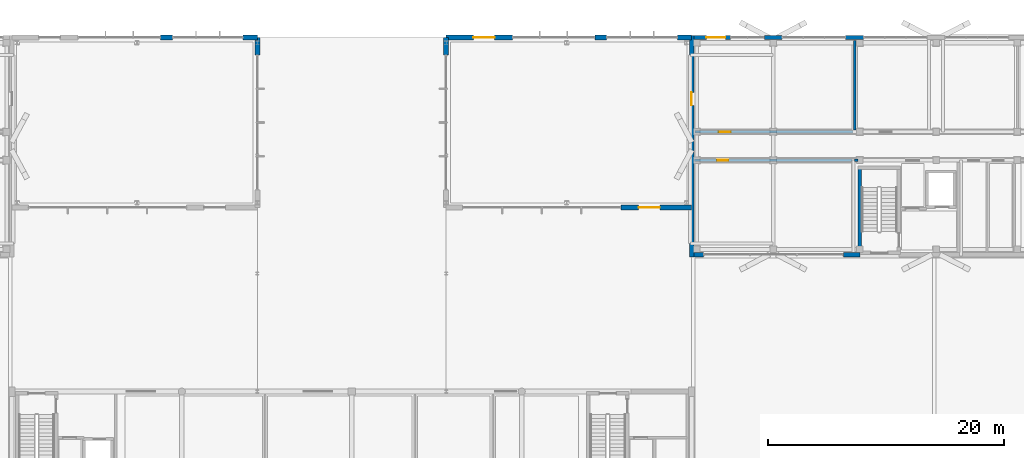
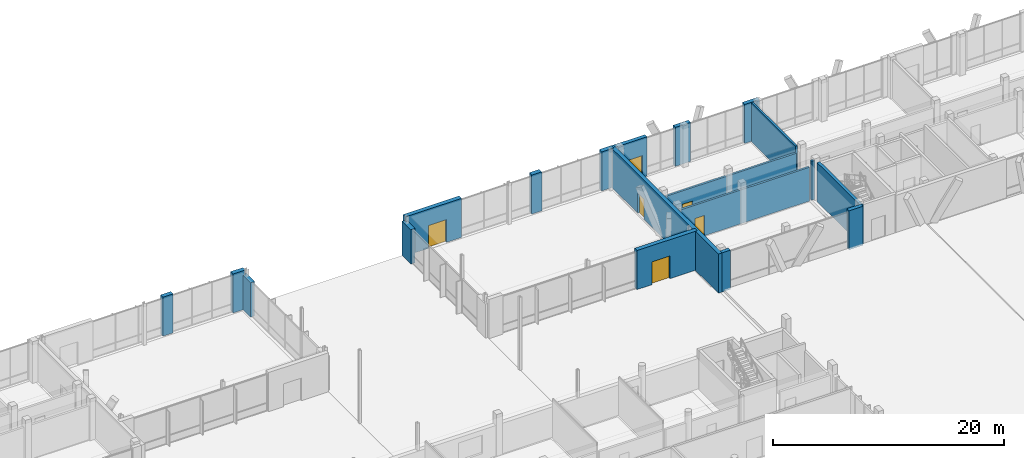
# One storey, part 200 of 233: 19 walls, 6 doors, 6 openings.
"""IFC4 building model written with IfcOpenShell, lengths in metres."""

from ifc_helpers import new_model, si_unit, direction, frame, frame_2d, origin, origin_with_axes, place, context, subcontext, project, spatial, rectangle, extrude, material, layer, layer_set, type_object, element, fill, save


model = new_model("IFC4")

# Units and contexts
model_context = context("Model", 3, precision=1e-05, world=origin(), true_north=direction((0.0, 1.0)))
body_context = subcontext(model_context, "Body", "Model", "MODEL_VIEW")
ifc_project = project(units=[si_unit("LENGTHUNIT", "METRE"), si_unit("AREAUNIT", "SQUARE_METRE"), si_unit("VOLUMEUNIT", "CUBIC_METRE"), si_unit("PLANEANGLEUNIT", "RADIAN"), si_unit("MASSUNIT", "GRAM", prefix="KILO")], contexts=[model_context])

# Site, building, storey
site_placement = place(None, origin())
site = spatial("IfcSite", under=ifc_project, at=site_placement, CompositionType="ELEMENT")
building_placement = place(site_placement, origin())
building = spatial("IfcBuilding", under=site, at=building_placement, Name="Zavelmont Quarter", CompositionType="ELEMENT")
storey_placement = place(building_placement, origin())
storey = spatial("IfcBuildingStorey", under=building, at=storey_placement, Name="L00", CompositionType="ELEMENT", Elevation=0.0)

# Walls
ifc_material_1 = material(Name="Natural Belgian limestone", Category="masonry")
ifc_layer_1 = layer(ifc_material_1, 0.3798828125)
ifc_layer_set_1 = layer_set([ifc_layer_1], Name="Natural Belgian limestone")
wall_type_1 = type_object("IfcWallType", Name="EW01", PredefinedType="STANDARD", material=ifc_layer_set_1)
wall_1_placement = place(storey_placement, frame((112.97998046875, 97.60009765625, 0.0), z_axis=(0.0, 0.0, 1.0), x_axis=(1.0, 0.0, 0.0)))
element("IfcWall", 1, at=wall_1_placement, inside=storey, type_object=wall_type_1, Name="L00 exterior limestone wall EW01", PredefinedType="STANDARD", context=body_context, shape_type="SweptSolid", body=[
    extrude(rectangle(XDim=0.820068359375, YDim=0.3798828125, at=frame_2d((0.41015625, 0.0))), origin(), (0.0, 0.0, 1.0), 4.1201171875),
])
wall_2_placement = place(storey_placement, frame((125.64990234375, 97.60009765625, 0.0), z_axis=(0.0, 0.0, 1.0), x_axis=(1.0, 0.0, 0.0)))
element("IfcWall", 2, at=wall_2_placement, inside=storey, type_object=wall_type_1, Name="L00 exterior limestone wall EW01", PredefinedType="STANDARD", context=body_context, shape_type="SweptSolid", body=[
    extrude(rectangle(XDim=1.400146484375, YDim=0.3798828125, at=frame_2d((0.7001953125, 0.0))), origin(), (0.0, 0.0, 1.0), 4.1201171875),
])

# Wall, opening, door
wall_3_placement = place(storey_placement, frame((112.97998046875, 116.0, 0.0), z_axis=(0.0, 0.0, 1.0), x_axis=(1.0, 0.0, 0.0)))
wall_3 = element("IfcWall", 3, at=wall_3_placement, inside=storey, type_object=wall_type_1, Name="L00 exterior limestone wall EW01", PredefinedType="STANDARD", context=body_context, shape_type="SweptSolid", body=[
    extrude(rectangle(XDim=3.1201171875, YDim=0.3798828125, at=frame_2d((1.56005859375, 0.0))), origin(), (0.0, 0.0, 1.0), 4.1201171875),
])
opening_1_placement = place(wall_3_placement, frame((1.070068359375, 0.0, 0.0)))
opening_1 = element("IfcOpeningElement", 4, at=opening_1_placement, cuts=wall_3, Name="Opening DR01B", PredefinedType="OPENING", context=body_context, shape_type="SweptSolid", body=[
    extrude(rectangle(XDim=1.60009765625, YDim=2.300048828125, at=frame_2d((0.800048828125, 1.14990234375))), frame((0.0, 0.201904296875, 0.0), z_axis=(0.0, -1.0, 0.0), x_axis=(1.0, 0.0, 0.0)), (0.0, 0.0, 1.0), 0.40380859375),
])
ifc_material_2 = material(Name="Powder-coated aluminium and tempered double safety glass", Category="aluminium")
door_type_1 = type_object("IfcDoorType", Name="DR01B", OperationType="DOUBLE_DOOR_SINGLE_SWING", PredefinedType="DOOR", material=ifc_material_2)
door_1_placement = place(opening_1_placement, origin_with_axes())
door_1 = element("IfcDoor", 5, at=door_1_placement, inside=storey, type_object=door_type_1, Name="Block C street entrance final exit door", OperationType="DOUBLE_DOOR_SINGLE_SWING", OverallHeight=2.300048828125, OverallWidth=1.60009765625, PredefinedType="DOOR", context=body_context, shape_type="SweptSolid", body=[
    extrude(rectangle(XDim=1.60009765625, YDim=2.300048828125, at=frame_2d((0.800048828125, 1.14990234375))), frame((0.0, 0.02490234375, 0.0), z_axis=(0.0, -1.0, 0.0), x_axis=(1.0, 0.0, 0.0)), (0.0, 0.0, 1.0), 0.050048828125),
])
fill(opening_1, door_1)

# Walls
for number, where, z_axis, x_axis, name in (
    (6, (118.949951171875, 116.0, 0.0), (0.0, 0.0, 1.0), (1.0, 0.0, 0.0), "L00 exterior limestone wall EW01"),
    (7, (125.85009765625, 116.0, 0.0), (0.0, 0.0, 1.0), (1.0, 0.0, 0.0), "L00 exterior limestone wall EW01"),
):
    element("IfcWall", number, at=place(storey_placement, frame(where, z_axis=z_axis, x_axis=x_axis)), inside=storey, type_object=wall_type_1, Name=name, PredefinedType="STANDARD", context=body_context, shape_type="SweptSolid", body=[
        extrude(rectangle(XDim=1.5, YDim=0.3798828125, at=frame_2d((0.75, 0.0))), origin(), (0.0, 0.0, 1.0), 4.1201171875),
    ])

# Wall, opening, door
wall_4_placement = place(storey_placement, frame((112.800048828125, 97.409912109375, 0.0), z_axis=(0.0, 0.0, 1.0), x_axis=(0.0, 1.0, 0.0)))
wall_4 = element("IfcWall", 8, at=wall_4_placement, inside=storey, type_object=wall_type_1, Name="L00 exterior limestone wall EW01", PredefinedType="STANDARD", context=body_context, shape_type="SweptSolid", body=[
    extrude(rectangle(XDim=18.780029296875, YDim=0.3798828125, at=frame_2d((9.39013671875, 0.0))), origin(), (0.0, 0.0, 1.0), 4.1201171875),
])
opening_2_placement = place(wall_4_placement, frame((12.840087890625, 0.0, 0.0)))
opening_2 = element("IfcOpeningElement", 9, at=opening_2_placement, cuts=wall_4, Name="Opening DR04B", PredefinedType="OPENING", context=body_context, shape_type="SweptSolid", body=[
    extrude(rectangle(XDim=1.10009765625, YDim=2.10009765625, at=frame_2d((0.550048828125, 1.050048828125))), frame((0.0, 0.201904296875, 0.0), z_axis=(0.0, -1.0, 0.0), x_axis=(1.0, 0.0, 0.0)), (0.0, 0.0, 1.0), 0.40380859375),
])
ifc_material_3 = material(Name="Thermally broken aluminium and double safety glass", Category="aluminium")
door_type_2 = type_object("IfcDoorType", Name="DR04B", OperationType="NOTDEFINED", PredefinedType="DOOR", material=ifc_material_3)
door_2_placement = place(opening_2_placement, frame((1.10009765625, 0.0, 0.0), z_axis=(0.0, 0.0, 1.0), x_axis=(-1.0, 0.0, 0.0)))
door_2 = element("IfcDoor", 10, at=door_2_placement, inside=storey, type_object=door_type_2, Name="Block C L00 street arcade link door", OperationType="SINGLE_SWING_RIGHT", OverallHeight=2.10009765625, OverallWidth=1.10009765625, PredefinedType="DOOR", context=body_context, shape_type="SweptSolid", body=[
    extrude(rectangle(XDim=1.10009765625, YDim=2.10009765625, at=frame_2d((0.550048828125, 1.050048828125))), frame((0.0, 0.02490234375, 0.0), z_axis=(0.0, -1.0, 0.0), x_axis=(1.0, 0.0, 0.0)), (0.0, 0.0, 1.0), 0.050048828125),
])
fill(opening_2, door_2)

# Walls
ifc_layer_2 = layer(ifc_material_1, 0.419921875)
ifc_layer_set_2 = layer_set([ifc_layer_2], Name="Natural Belgian limestone")
wall_type_2 = type_object("IfcWallType", Name="EW04", PredefinedType="STANDARD", material=ifc_layer_set_2)
wall_5_placement = place(storey_placement, frame((67.800048828125, 116.0, 0.0), z_axis=(0.0, 0.0, 1.0), x_axis=(1.0, 0.0, 0.0)))
element("IfcWall", 11, at=wall_5_placement, inside=storey, type_object=wall_type_2, Name="L00 exterior limestone wall EW04", PredefinedType="STANDARD", context=body_context, shape_type="SweptSolid", body=[
    extrude(rectangle(XDim=1.0, YDim=0.419921875, at=frame_2d((0.5, 0.0))), origin(), (0.0, 0.0, 1.0), 4.1201171875),
])
wall_6_placement = place(storey_placement, frame((74.800048828125, 116.0, 0.0), z_axis=(0.0, 0.0, 1.0), x_axis=(1.0, 0.0, 0.0)))
element("IfcWall", 12, at=wall_6_placement, inside=storey, type_object=wall_type_2, Name="L00 exterior limestone wall EW04", PredefinedType="STANDARD", context=body_context, shape_type="SweptSolid", body=[
    extrude(rectangle(XDim=1.199951171875, YDim=0.419921875, at=frame_2d((0.60009765625, 0.0))), origin(), (0.0, 0.0, 1.0), 4.1201171875),
])
wall_7_placement = place(storey_placement, frame((76.0, 114.5, 0.0), z_axis=(0.0, 0.0, 1.0), x_axis=(0.0, 1.0, 0.0)))
element("IfcWall", 13, at=wall_7_placement, inside=storey, type_object=wall_type_2, Name="L00 exterior limestone wall EW04", PredefinedType="STANDARD", context=body_context, shape_type="SweptSolid", body=[
    extrude(rectangle(XDim=1.5, YDim=0.419921875, at=frame_2d((0.75, 0.0))), origin(), (0.0, 0.0, 1.0), 3.610107421875),
])

# Wall, opening, door
wall_8_placement = place(storey_placement, frame((92.0, 116.0, 0.0), z_axis=(0.0, 0.0, 1.0), x_axis=(1.0, 0.0, 0.0)))
wall_8 = element("IfcWall", 14, at=wall_8_placement, inside=storey, type_object=wall_type_2, Name="L00 exterior limestone wall EW04", PredefinedType="STANDARD", context=body_context, shape_type="SweptSolid", body=[
    extrude(rectangle(XDim=5.60009765625, YDim=0.419921875, at=frame_2d((2.800048828125, 0.0))), origin(), (0.0, 0.0, 1.0), 4.1201171875),
])
opening_3_placement = place(wall_8_placement, frame((2.300048828125, 0.0, 0.0)))
opening_3 = element("IfcOpeningElement", 15, at=opening_3_placement, cuts=wall_8, Name="Opening DR01", PredefinedType="OPENING", context=body_context, shape_type="SweptSolid", body=[
    extrude(rectangle(XDim=1.800048828125, YDim=2.39990234375, at=frame_2d((0.89990234375, 1.199951171875))), frame((0.0, 0.221923828125, 0.0), z_axis=(0.0, -1.0, 0.0), x_axis=(1.0, 0.0, 0.0)), (0.0, 0.0, 1.0), 0.44384765625),
])
door_type_3 = type_object("IfcDoorType", Name="DR01", OperationType="DOUBLE_DOOR_SINGLE_SWING", PredefinedType="DOOR", material=ifc_material_2)
door_3_placement = place(opening_3_placement, origin_with_axes())
door_3 = element("IfcDoor", 16, at=door_3_placement, inside=storey, type_object=door_type_3, Name="L00 exterior door DR01", OperationType="DOUBLE_DOOR_SINGLE_SWING", OverallHeight=2.39990234375, OverallWidth=1.800048828125, PredefinedType="DOOR", context=body_context, shape_type="SweptSolid", body=[
    extrude(rectangle(XDim=1.800048828125, YDim=2.39990234375, at=frame_2d((0.89990234375, 1.199951171875))), frame((0.0, 0.02490234375, 0.0), z_axis=(0.0, -1.0, 0.0), x_axis=(1.0, 0.0, 0.0)), (0.0, 0.0, 1.0), 0.050048828125),
])
fill(opening_3, door_3)

# Walls
wall_9_placement = place(storey_placement, frame((104.60009765625, 116.0, 0.0), z_axis=(0.0, 0.0, 1.0), x_axis=(1.0, 0.0, 0.0)))
element("IfcWall", 17, at=wall_9_placement, inside=storey, type_object=wall_type_2, Name="L00 exterior limestone wall EW04", PredefinedType="STANDARD", context=body_context, shape_type="SweptSolid", body=[
    extrude(rectangle(XDim=1.0, YDim=0.419921875, at=frame_2d((0.5, 0.0))), origin(), (0.0, 0.0, 1.0), 4.1201171875),
])
wall_10_placement = place(storey_placement, frame((111.60009765625, 116.0, 0.0), z_axis=(0.0, 0.0, 1.0), x_axis=(1.0, 0.0, 0.0)))
element("IfcWall", 18, at=wall_10_placement, inside=storey, type_object=wall_type_2, Name="L00 exterior limestone wall EW04", PredefinedType="STANDARD", context=body_context, shape_type="SweptSolid", body=[
    extrude(rectangle(XDim=1.199951171875, YDim=0.419921875, at=frame_2d((0.60009765625, 0.0))), origin(), (0.0, 0.0, 1.0), 4.1201171875),
])

# Wall, opening, door
wall_11_placement = place(storey_placement, frame((106.800048828125, 101.60009765625, 0.0), z_axis=(0.0, 0.0, 1.0), x_axis=(1.0, 0.0, 0.0)))
wall_11 = element("IfcWall", 19, at=wall_11_placement, inside=storey, type_object=wall_type_2, Name="L00 exterior limestone wall EW04", PredefinedType="STANDARD", context=body_context, shape_type="SweptSolid", body=[
    extrude(rectangle(XDim=6.0, YDim=0.419921875, at=frame_2d((3.0, 0.0))), origin(), (0.0, 0.0, 1.0), 4.1201171875),
])
opening_4_placement = place(wall_11_placement, frame((1.5, 0.0, 0.0)))
opening_4 = element("IfcOpeningElement", 20, at=opening_4_placement, cuts=wall_11, Name="Opening DR01", PredefinedType="OPENING", context=body_context, shape_type="SweptSolid", body=[
    extrude(rectangle(XDim=1.800048828125, YDim=2.39990234375, at=frame_2d((0.89990234375, 1.199951171875))), frame((0.0, 0.221923828125, 0.0), z_axis=(0.0, -1.0, 0.0), x_axis=(1.0, 0.0, 0.0)), (0.0, 0.0, 1.0), 0.44384765625),
])
door_4_placement = place(opening_4_placement, frame((1.800048828125, 0.0, 0.0), z_axis=(0.0, 0.0, 1.0), x_axis=(-1.0, 0.0, 0.0)))
door_4 = element("IfcDoor", 21, at=door_4_placement, inside=storey, type_object=door_type_3, Name="L00 exterior door DR01", OperationType="DOUBLE_DOOR_SINGLE_SWING", OverallHeight=2.39990234375, OverallWidth=1.800048828125, PredefinedType="DOOR", context=body_context, shape_type="SweptSolid", body=[
    extrude(rectangle(XDim=1.800048828125, YDim=2.39990234375, at=frame_2d((0.89990234375, 1.199951171875))), frame((0.0, 0.02490234375, 0.0), z_axis=(0.0, -1.0, 0.0), x_axis=(1.0, 0.0, 0.0)), (0.0, 0.0, 1.0), 0.050048828125),
])
fill(opening_4, door_4)

# Wall
wall_12_placement = place(storey_placement, frame((92.0, 114.5, 0.0), z_axis=(0.0, 0.0, 1.0), x_axis=(0.0, 1.0, 0.0)))
element("IfcWall", 22, at=wall_12_placement, inside=storey, type_object=wall_type_2, Name="L00 exterior limestone wall EW04", PredefinedType="STANDARD", context=body_context, shape_type="SweptSolid", body=[
    extrude(rectangle(XDim=1.5, YDim=0.419921875, at=frame_2d((0.75, 0.0))), origin(), (0.0, 0.0, 1.0), 3.610107421875),
])

# Wall, opening, door
ifc_material_4 = material(Name="Calcium-silicate blockwork and acoustic plaster", Category="masonry")
ifc_layer_3 = layer(ifc_material_4, 0.199951171875)
ifc_layer_set_3 = layer_set([ifc_layer_3], Name="Calcium-silicate blockwork and acoustic plaster")
wall_type_3 = type_object("IfcWallType", Name="IW01", PredefinedType="PARTITIONING", material=ifc_layer_set_3)
wall_13_placement = place(storey_placement, frame((113.10009765625, 108.0, 0.0), z_axis=(0.0, 0.0, 1.0), x_axis=(1.0, 0.0, 0.0)))
wall_13 = element("IfcWall", 23, at=wall_13_placement, inside=storey, type_object=wall_type_3, Name="L00 Block Entrance Foyer corridor wall IW01", PredefinedType="PARTITIONING", context=body_context, shape_type="SweptSolid", body=[
    extrude(rectangle(XDim=13.349853515625, YDim=0.199951171875, at=frame_2d((6.6748046875, 0.0))), origin(), (0.0, 0.0, 1.0), 3.56005859375),
])
opening_5_placement = place(wall_13_placement, frame((2.0, 0.0, 0.0)))
opening_5 = element("IfcOpeningElement", 24, at=opening_5_placement, cuts=wall_13, Name="Opening DR07", PredefinedType="OPENING", context=body_context, shape_type="SweptSolid", body=[
    extrude(rectangle(XDim=1.0, YDim=2.14990234375, at=frame_2d((0.5, 1.074951171875))), frame((0.0, 0.11181640625, 0.0), z_axis=(0.0, -1.0, 0.0), x_axis=(1.0, 0.0, 0.0)), (0.0, 0.0, 1.0), 0.223876953125),
])
ifc_material_5 = material(Name="Solid-core oak fire leaf in steel frame", Category="steel")
door_type_4 = type_object("IfcDoorType", Name="DR07", OperationType="NOTDEFINED", PredefinedType="DOOR", material=ifc_material_5)
door_5_placement = place(opening_5_placement, frame((1.0, 0.0, 0.0), z_axis=(0.0, 0.0, 1.0), x_axis=(-1.0, 0.0, 0.0)))
door_5 = element("IfcDoor", 25, at=door_5_placement, inside=storey, type_object=door_type_4, Name="L00 door DR07", OperationType="SINGLE_SWING_LEFT", OverallHeight=2.14990234375, OverallWidth=1.0, PredefinedType="DOOR", context=body_context, shape_type="SweptSolid", body=[
    extrude(rectangle(XDim=1.0, YDim=2.14990234375, at=frame_2d((0.5, 1.074951171875))), frame((0.0, 0.02490234375, 0.0), z_axis=(0.0, -1.0, 0.0), x_axis=(1.0, 0.0, 0.0)), (0.0, 0.0, 1.0), 0.050048828125),
])
fill(opening_5, door_5)

# Wall
wall_14_placement = place(storey_placement, frame((126.60009765625, 108.14990234375, 0.0), z_axis=(0.0, 0.0, 1.0), x_axis=(0.0, 1.0, 0.0)))
element("IfcWall", 26, at=wall_14_placement, inside=storey, type_object=wall_type_3, Name="L00 Interior partition IW01", PredefinedType="PARTITIONING", context=body_context, shape_type="SweptSolid", body=[
    extrude(rectangle(XDim=7.60009765625, YDim=0.199951171875, at=frame_2d((3.800048828125, 0.0))), origin(), (0.0, 0.0, 1.0), 4.1201171875),
])

# Wall, opening, door
wall_15_placement = place(storey_placement, frame((113.050048828125, 105.60009765625, 0.0), z_axis=(0.0, 0.0, 1.0), x_axis=(1.0, 0.0, 0.0)))
wall_15 = element("IfcWall", 27, at=wall_15_placement, inside=storey, type_object=wall_type_3, Name="L00 Interior partition IW01", PredefinedType="PARTITIONING", context=body_context, shape_type="SweptSolid", body=[
    extrude(rectangle(XDim=13.349853515625, YDim=0.199951171875, at=frame_2d((6.6748046875, 0.0))), origin(), (0.0, 0.0, 1.0), 3.56005859375),
])
opening_6_placement = place(wall_15_placement, frame((1.89990234375, 0.0, 0.0)))
opening_6 = element("IfcOpeningElement", 28, at=opening_6_placement, cuts=wall_15, Name="Opening DR02", PredefinedType="OPENING", context=body_context, shape_type="SweptSolid", body=[
    extrude(rectangle(XDim=0.949951171875, YDim=2.14990234375, at=frame_2d((0.47509765625, 1.074951171875))), frame((0.0, 0.11181640625, 0.0), z_axis=(0.0, -1.0, 0.0), x_axis=(1.0, 0.0, 0.0)), (0.0, 0.0, 1.0), 0.223876953125),
])
door_type_5 = type_object("IfcDoorType", Name="DR02", OperationType="NOTDEFINED", PredefinedType="DOOR", material=ifc_material_5)
door_6_placement = place(opening_6_placement, origin_with_axes())
door_6 = element("IfcDoor", 29, at=door_6_placement, inside=storey, type_object=door_type_5, Name="L00 door DR02", OperationType="SINGLE_SWING_LEFT", OverallHeight=2.14990234375, OverallWidth=0.949951171875, PredefinedType="DOOR", context=body_context, shape_type="SweptSolid", body=[
    extrude(rectangle(XDim=0.949951171875, YDim=2.14990234375, at=frame_2d((0.47509765625, 1.074951171875))), frame((0.0, 0.02490234375, 0.0), z_axis=(0.0, -1.0, 0.0), x_axis=(1.0, 0.0, 0.0)), (0.0, 0.0, 1.0), 0.050048828125),
])
fill(opening_6, door_6)

# Walls
ifc_material_6 = material(Name="Reinforced masonry fire compartment wall", Category="masonry")
ifc_layer_4 = layer(ifc_material_6, 0.22509765625)
ifc_layer_set_4 = layer_set([ifc_layer_4], Name="Reinforced masonry fire compartment wall")
wall_type_4 = type_object("IfcWallType", Name="IW02", PredefinedType="PARTITIONING", material=ifc_layer_set_4)
wall_16_placement = place(storey_placement, frame((126.60009765625, 105.60009765625, 0.0), z_axis=(0.0, 0.0, 1.0), x_axis=(1.0, 0.0, 0.0)))
element("IfcWall", 30, at=wall_16_placement, inside=storey, type_object=wall_type_4, Name="L00 Core corridor wall IW02", PredefinedType="PARTITIONING", context=body_context, shape_type="SweptSolid", body=[
    extrude(rectangle(XDim=0.2998046875, YDim=0.22509765625, at=frame_2d((0.14990234375, 0.0))), origin(), (0.0, 0.0, 1.0), 4.1201171875),
])
ifc_material_7 = material(Name="Concrete C40/50", Category="concrete")
ifc_layer_5 = layer(ifc_material_7, 0.300048828125)
ifc_layer_set_5 = layer_set([ifc_layer_5], Name="Concrete C40/50")
wall_type_5 = type_object("IfcWallType", Name="SW01", PredefinedType="SHEAR", material=ifc_layer_set_5)
wall_17_placement = place(storey_placement, frame((127.050048828125, 97.60009765625, 0.0), z_axis=(0.0, 0.0, 1.0), x_axis=(0.0, 1.0, 0.0)))
element("IfcWall", 31, at=wall_17_placement, inside=storey, type_object=wall_type_5, Name="L00 ST05 west shear wall SW01", PredefinedType="SHEAR", context=body_context, shape_type="SweptSolid", body=[
    extrude(rectangle(XDim=7.5, YDim=0.300048828125, at=frame_2d((3.75, 0.0))), origin(), (0.0, 0.0, 1.0), 4.1201171875),
])

save(model, "model.ifc")
